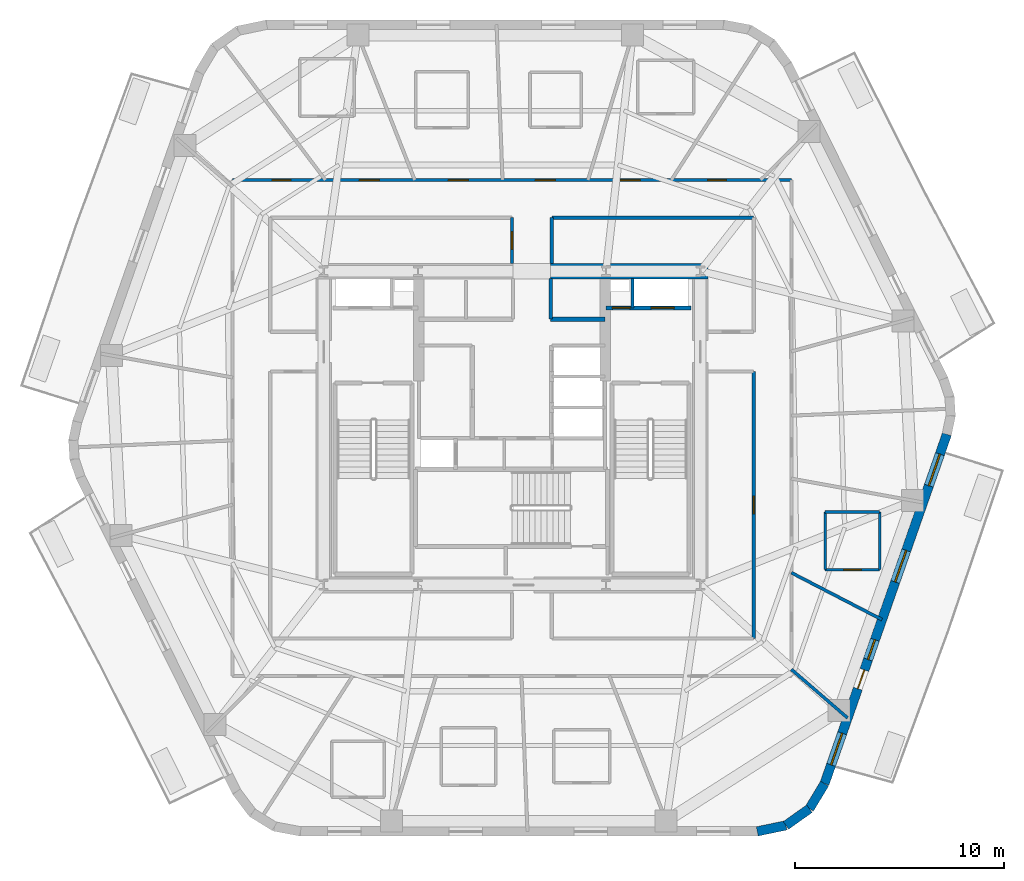
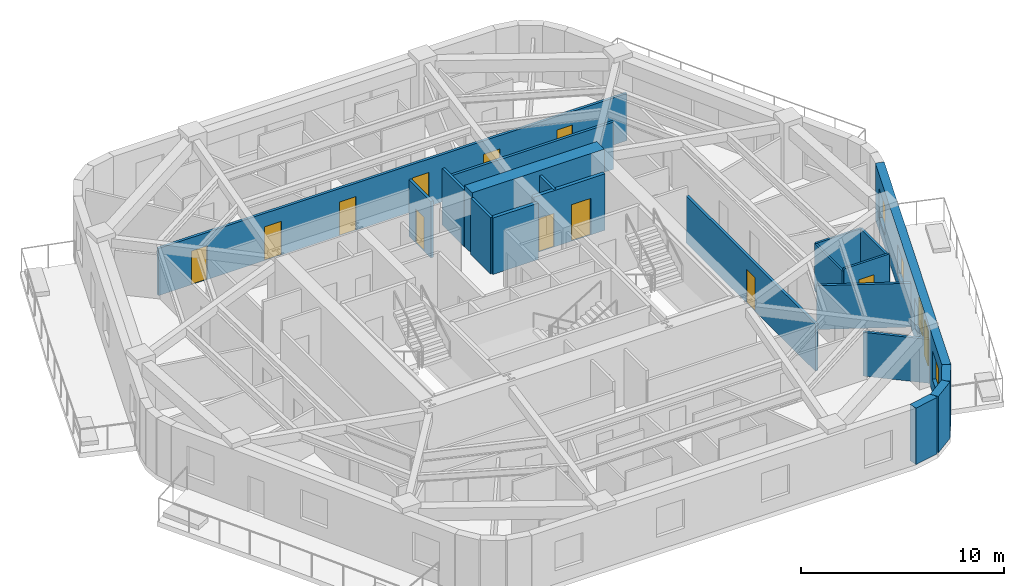
# One storey, part 5 of 10: 20 walls, 12 doors, 4 windows, 16 openings.
"""IFC4 building model written with IfcOpenShell, lengths in metres."""

from ifc_helpers import new_model, si_unit, direction, frame, frame_2d, origin, place, context, subcontext, project, spatial, rectangle, extrude, material, layer, layer_set, type_object, element, fill, save


model = new_model("IFC4")

# Units and contexts
model_context = context("Model", 3, precision=1e-05, world=origin(), true_north=direction((0.0, 1.0)))
body_context = subcontext(model_context, "Body", "Model", "MODEL_VIEW")
ifc_project = project(units=[si_unit("LENGTHUNIT", "METRE"), si_unit("AREAUNIT", "SQUARE_METRE"), si_unit("VOLUMEUNIT", "CUBIC_METRE"), si_unit("PLANEANGLEUNIT", "RADIAN"), si_unit("MASSUNIT", "GRAM", prefix="KILO")], contexts=[model_context])

# Site, building, storey
site_placement = place(None, origin())
site = spatial("IfcSite", under=ifc_project, at=site_placement, CompositionType="ELEMENT")
building_placement = place(site_placement, origin())
building = spatial("IfcBuilding", under=site, at=building_placement, Name="Kilnhurst Terrace Hotel", CompositionType="ELEMENT")
storey_placement = place(building_placement, frame((0.0, 0.0, 175.60009765625)))
storey = spatial("IfcBuildingStorey", under=building, at=storey_placement, Name="L43", CompositionType="ELEMENT", Elevation=175.60009765625)

# Walls
ifc_material_1 = material(Name="Precast concrete C40/50", Category="concrete")
ifc_layer_1 = layer(ifc_material_1, 0.449951171875, Name="Precast concrete C40/50")
ifc_layer_set_1 = layer_set([ifc_layer_1], Name="Precast concrete C40/50")
wall_type_1 = type_object("IfcWallType", Name="WL-BRK-450", PredefinedType="SOLIDWALL", material=ifc_layer_set_1)
wall_1_placement = place(storey_placement, frame((11.720458984375, -19.27490234375, 0.0), z_axis=(0.0, 0.0, 1.0), x_axis=(0.97893106758, 0.204191001093, 0.0)))
element("IfcWall", 1, at=wall_1_placement, inside=storey, type_object=wall_type_1, Name="L43 Rounded Corner Brick Wall C2.1", PredefinedType="SOLIDWALL", context=body_context, shape_type="SweptSolid", body=[
    extrude(rectangle(XDim=1.400146484375, YDim=0.449951171875, at=frame_2d((0.7001953125, 0.0))), origin(), (0.0, 0.0, 1.0), 3.39990234375),
])
wall_2_placement = place(storey_placement, frame((13.091064453125, -18.989013671875, 0.0), z_axis=(0.0, 0.0, 1.0), x_axis=(0.815574637848, 0.578651890258, 0.0)))
element("IfcWall", 2, at=wall_2_placement, inside=storey, type_object=wall_type_1, Name="L43 Rounded Corner Brick Wall C2.2", PredefinedType="SOLIDWALL", context=body_context, shape_type="SweptSolid", body=[
    extrude(rectangle(XDim=1.376708984375, YDim=0.449951171875, at=frame_2d((0.6884765625, 0.0))), origin(), (0.0, 0.0, 1.0), 3.39990234375),
])
wall_3_placement = place(storey_placement, frame((14.2138671875, -18.1923828125, 0.0), z_axis=(0.0, 0.0, 1.0), x_axis=(0.516340945502, 0.856383108193, 0.0)))
element("IfcWall", 3, at=wall_3_placement, inside=storey, type_object=wall_type_1, Name="L43 Rounded Corner Brick Wall C2.3", PredefinedType="SOLIDWALL", context=body_context, shape_type="SweptSolid", body=[
    extrude(rectangle(XDim=1.400146484375, YDim=0.449951171875, at=frame_2d((0.7001953125, 0.0))), origin(), (0.0, 0.0, 1.0), 3.39990234375),
])

# Wall, openings, door, windows
wall_4_placement = place(storey_placement, frame((14.936767578125, -16.993408203125, 0.0), z_axis=(0.0, 0.0, 1.0), x_axis=(0.330431575061, 0.943829949834, 0.0)))
wall_4 = element("IfcWall", 4, at=wall_4_placement, inside=storey, type_object=wall_type_1, Name="L43 Exterior Brick Facade Wall F2", PredefinedType="SOLIDWALL", context=body_context, shape_type="SweptSolid", body=[
    extrude(rectangle(XDim=17.68896484375, YDim=0.449951171875, at=frame_2d((8.844482421875, 0.0))), origin(), (0.0, 0.0, 1.0), 3.39990234375),
])
opening_1_placement = place(wall_4_placement, frame((4.806884765625, 0.0, 0.0)))
opening_1 = element("IfcOpeningElement", 5, at=opening_1_placement, cuts=wall_4, Name="Opening BD-950", PredefinedType="OPENING", context=body_context, shape_type="SweptSolid", body=[
    extrude(rectangle(XDim=0.949951171875, YDim=2.14990234375, at=frame_2d((0.47509765625, 1.074951171875))), frame((0.0, 0.23486328125, 0.0), z_axis=(0.0, -1.0, 0.0), x_axis=(1.0, 0.0, 0.0)), (0.0, 0.0, 1.0), 0.469970703125),
])
opening_2_placement = place(wall_4_placement, frame((0.949951171875, 0.0, 0.800048828125)))
opening_2 = element("IfcOpeningElement", 6, at=opening_2_placement, cuts=wall_4, Name="Opening W-05", PredefinedType="OPENING", context=body_context, shape_type="SweptSolid", body=[
    extrude(rectangle(XDim=1.60009765625, YDim=1.75, at=frame_2d((0.800048828125, 0.875))), frame((0.0, 0.23486328125, 0.0), z_axis=(0.0, -1.0, 0.0), x_axis=(1.0, 0.0, 0.0)), (0.0, 0.0, 1.0), 0.469970703125),
])
opening_3_placement = place(wall_4_placement, frame((6.285888671875, 0.0, 0.800048828125)))
opening_3 = element("IfcOpeningElement", 7, at=opening_3_placement, cuts=wall_4, Name="Opening W-08", PredefinedType="OPENING", context=body_context, shape_type="SweptSolid", body=[
    extrude(rectangle(XDim=1.0, YDim=1.64990234375, at=frame_2d((0.5, 0.824951171875))), frame((0.0, 0.23486328125, 0.0), z_axis=(0.0, -1.0, 0.0), x_axis=(1.0, 0.0, 0.0)), (0.0, 0.0, 1.0), 0.469970703125),
])
opening_4_placement = place(wall_4_placement, frame((10.2099609375, 0.0, 0.800048828125)))
opening_4 = element("IfcOpeningElement", 8, at=opening_4_placement, cuts=wall_4, Name="Opening W-05", PredefinedType="OPENING", context=body_context, shape_type="SweptSolid", body=[
    extrude(rectangle(XDim=1.60009765625, YDim=1.75, at=frame_2d((0.800048828125, 0.875))), frame((0.0, 0.23486328125, 0.0), z_axis=(0.0, -1.0, 0.0), x_axis=(1.0, 0.0, 0.0)), (0.0, 0.0, 1.0), 0.469970703125),
])
opening_5_placement = place(wall_4_placement, frame((15.083984375, 0.0, 0.800048828125)))
opening_5 = element("IfcOpeningElement", 9, at=opening_5_placement, cuts=wall_4, Name="Opening W-05", PredefinedType="OPENING", context=body_context, shape_type="SweptSolid", body=[
    extrude(rectangle(XDim=1.60009765625, YDim=1.75, at=frame_2d((0.800048828125, 0.875))), frame((0.0, 0.23486328125, 0.0), z_axis=(0.0, -1.0, 0.0), x_axis=(1.0, 0.0, 0.0)), (0.0, 0.0, 1.0), 0.469970703125),
])
ifc_material_2 = material(Name="Thermally Broken Bronze Aluminium Alloy 6063-T6 and Laminated Glass", Category="aluminium")
door_type_1 = type_object("IfcDoorType", Name="DR-EXT-BAL-950", OperationType="NOTDEFINED", PredefinedType="DOOR", material=ifc_material_2)
door_1_placement = place(opening_1_placement, origin())
door_1 = element("IfcDoor", 10, at=door_1_placement, inside=storey, type_object=door_type_1, Name="L43 Planted Balcony Door BAL-L1A", OperationType="SINGLE_SWING_RIGHT", OverallHeight=2.14990234375, OverallWidth=0.949951171875, PredefinedType="DOOR", context=body_context, shape_type="SweptSolid", body=[
    extrude(rectangle(XDim=0.949951171875, YDim=2.14990234375, at=frame_2d((0.47509765625, 1.074951171875))), frame((0.0, 0.02490234375, 0.0), z_axis=(0.0, -1.0, 0.0), x_axis=(1.0, 0.0, 0.0)), (0.0, 0.0, 1.0), 0.050048828125),
])
fill(opening_1, door_1)
ifc_material_3 = material(Name="Thermally Broken Bronze Aluminium Alloy 6063-T6 and Low-E Glass", Category="aluminium")
window_type_1 = type_object("IfcWindowType", Name="WIN-1000X1650", PartitioningType="SINGLE_PANEL", PredefinedType="WINDOW", material=ifc_material_3)
window_1_placement = place(opening_3_placement, origin())
window_1 = element("IfcWindow", 11, at=window_1_placement, inside=storey, type_object=window_type_1, Name="L43 Deep-Set Masonry Window F2.2", OverallHeight=1.64990234375, OverallWidth=1.0, PartitioningType="SINGLE_PANEL", PredefinedType="WINDOW", context=body_context, shape_type="SweptSolid", body=[
    extrude(rectangle(XDim=1.0, YDim=1.64990234375, at=frame_2d((0.5, 0.824951171875))), frame((0.0, 0.030029296875, 0.0), z_axis=(0.0, -1.0, 0.0), x_axis=(1.0, 0.0, 0.0)), (0.0, 0.0, 1.0), 0.06005859375),
])
fill(opening_3, window_1)
window_type_2 = type_object("IfcWindowType", Name="WIN-1600X1750", PartitioningType="SINGLE_PANEL", PredefinedType="WINDOW", material=ifc_material_3)
window_2_placement = place(opening_2_placement, origin())
window_2 = element("IfcWindow", 12, at=window_2_placement, inside=storey, type_object=window_type_2, Name="L43 Deep-Set Masonry Window F2.1", OverallHeight=1.75, OverallWidth=1.60009765625, PartitioningType="SINGLE_PANEL", PredefinedType="WINDOW", context=body_context, shape_type="SweptSolid", body=[
    extrude(rectangle(XDim=1.60009765625, YDim=1.75, at=frame_2d((0.800048828125, 0.875))), frame((0.0, 0.030029296875, 0.0), z_axis=(0.0, -1.0, 0.0), x_axis=(1.0, 0.0, 0.0)), (0.0, 0.0, 1.0), 0.06005859375),
])
fill(opening_2, window_2)
window_3_placement = place(opening_4_placement, origin())
window_3 = element("IfcWindow", 13, at=window_3_placement, inside=storey, type_object=window_type_2, Name="L43 Deep-Set Masonry Window F2.3", OverallHeight=1.75, OverallWidth=1.60009765625, PartitioningType="SINGLE_PANEL", PredefinedType="WINDOW", context=body_context, shape_type="SweptSolid", body=[
    extrude(rectangle(XDim=1.60009765625, YDim=1.75, at=frame_2d((0.800048828125, 0.875))), frame((0.0, 0.030029296875, 0.0), z_axis=(0.0, -1.0, 0.0), x_axis=(1.0, 0.0, 0.0)), (0.0, 0.0, 1.0), 0.06005859375),
])
fill(opening_4, window_3)
window_4_placement = place(opening_5_placement, origin())
window_4 = element("IfcWindow", 14, at=window_4_placement, inside=storey, type_object=window_type_2, Name="L43 Deep-Set Masonry Window F2.4", OverallHeight=1.75, OverallWidth=1.60009765625, PartitioningType="SINGLE_PANEL", PredefinedType="WINDOW", context=body_context, shape_type="SweptSolid", body=[
    extrude(rectangle(XDim=1.60009765625, YDim=1.75, at=frame_2d((0.800048828125, 0.875))), frame((0.0, 0.030029296875, 0.0), z_axis=(0.0, -1.0, 0.0), x_axis=(1.0, 0.0, 0.0)), (0.0, 0.0, 1.0), 0.06005859375),
])
fill(opening_5, window_4)

# Wall, openings, doors
ifc_material_4 = material(Name="Acoustic Double-Gypsum Corridor Partition Assembly")
ifc_layer_2 = layer(ifc_material_4, 0.14990234375, Name="Acoustic Double-Gypsum Corridor Partition Assembly")
ifc_layer_set_2 = layer_set([ifc_layer_2], Name="Acoustic Double-Gypsum Corridor Partition Assembly")
wall_type_2 = type_object("IfcWallType", Name="WL-COR-150", PredefinedType="PARTITIONING", material=ifc_layer_set_2)
wall_5_placement = place(storey_placement, frame((-13.35009765625, 11.85009765625, 0.0), z_axis=(0.0, 0.0, 1.0), x_axis=(1.0, 0.0, 0.0)))
wall_5 = element("IfcWall", 15, at=wall_5_placement, inside=storey, type_object=wall_type_2, Name="L43 Interior Wall WL-L43-COR-03", PredefinedType="PARTITIONING", context=body_context, shape_type="SweptSolid", body=[
    extrude(rectangle(XDim=26.7001953125, YDim=0.14990234375, at=frame_2d((13.35009765625, 0.0))), origin(), (0.0, 0.0, 1.0), 2.83984375),
])
opening_6_placement = place(wall_5_placement, frame((22.699951171875, 0.0, 0.0)))
opening_6 = element("IfcOpeningElement", 16, at=opening_6_placement, cuts=wall_5, Name="Opening D-60C", PredefinedType="OPENING", context=body_context, shape_type="SweptSolid", body=[
    extrude(rectangle(XDim=0.89990234375, YDim=2.030029296875, at=frame_2d((0.449951171875, 1.01513671875))), frame((0.0, 0.0849609375, 0.0), z_axis=(0.0, -1.0, 0.0), x_axis=(1.0, 0.0, 0.0)), (0.0, 0.0, 1.0), 0.169921875),
])
opening_7_placement = place(wall_5_placement, frame((18.52294921875, 0.0, 0.0)))
opening_7 = element("IfcOpeningElement", 17, at=opening_7_placement, cuts=wall_5, Name="Opening D-60B", PredefinedType="OPENING", context=body_context, shape_type="SweptSolid", body=[
    extrude(rectangle(XDim=0.949951171875, YDim=2.030029296875, at=frame_2d((0.47509765625, 1.01513671875))), frame((0.0, 0.0849609375, 0.0), z_axis=(0.0, -1.0, 0.0), x_axis=(1.0, 0.0, 0.0)), (0.0, 0.0, 1.0), 0.169921875),
])
opening_8_placement = place(wall_5_placement, frame((14.468994140625, 0.0, 0.0)))
opening_8 = element("IfcOpeningElement", 18, at=opening_8_placement, cuts=wall_5, Name="Opening D-60B", PredefinedType="OPENING", context=body_context, shape_type="SweptSolid", body=[
    extrude(rectangle(XDim=0.949951171875, YDim=2.030029296875, at=frame_2d((0.47509765625, 1.01513671875))), frame((0.0, 0.0849609375, 0.0), z_axis=(0.0, -1.0, 0.0), x_axis=(1.0, 0.0, 0.0)), (0.0, 0.0, 1.0), 0.169921875),
])
opening_9_placement = place(wall_5_placement, frame((10.31396484375, 0.0, 0.0)))
opening_9 = element("IfcOpeningElement", 19, at=opening_9_placement, cuts=wall_5, Name="Opening D-60B", PredefinedType="OPENING", context=body_context, shape_type="SweptSolid", body=[
    extrude(rectangle(XDim=0.949951171875, YDim=2.030029296875, at=frame_2d((0.47509765625, 1.01513671875))), frame((0.0, 0.0849609375, 0.0), z_axis=(0.0, -1.0, 0.0), x_axis=(1.0, 0.0, 0.0)), (0.0, 0.0, 1.0), 0.169921875),
])
opening_10_placement = place(wall_5_placement, frame((6.06103515625, 0.0, 0.0)))
opening_10 = element("IfcOpeningElement", 20, at=opening_10_placement, cuts=wall_5, Name="Opening D-60B", PredefinedType="OPENING", context=body_context, shape_type="SweptSolid", body=[
    extrude(rectangle(XDim=0.949951171875, YDim=2.030029296875, at=frame_2d((0.47509765625, 1.01513671875))), frame((0.0, 0.0849609375, 0.0), z_axis=(0.0, -1.0, 0.0), x_axis=(1.0, 0.0, 0.0)), (0.0, 0.0, 1.0), 0.169921875),
])
opening_11_placement = place(wall_5_placement, frame((1.885986328125, 0.0, 0.0)))
opening_11 = element("IfcOpeningElement", 21, at=opening_11_placement, cuts=wall_5, Name="Opening D-60C", PredefinedType="OPENING", context=body_context, shape_type="SweptSolid", body=[
    extrude(rectangle(XDim=0.89990234375, YDim=2.030029296875, at=frame_2d((0.449951171875, 1.01513671875))), frame((0.0, 0.0849609375, 0.0), z_axis=(0.0, -1.0, 0.0), x_axis=(1.0, 0.0, 0.0)), (0.0, 0.0, 1.0), 0.169921875),
])
ifc_material_5 = material(Name="Painted Solid-Core Service Fire Door")
door_type_2 = type_object("IfcDoorType", Name="DR-FD60-900", OperationType="NOTDEFINED", PredefinedType="DOOR", material=ifc_material_5)
door_2_placement = place(opening_6_placement, origin())
door_2 = element("IfcDoor", 22, at=door_2_placement, inside=storey, type_object=door_type_2, Name="L43 Botanical Reading Lounge Door 3", OperationType="SINGLE_SWING_LEFT", OverallHeight=2.030029296875, OverallWidth=0.89990234375, PredefinedType="DOOR", context=body_context, shape_type="SweptSolid", body=[
    extrude(rectangle(XDim=0.89990234375, YDim=2.030029296875, at=frame_2d((0.449951171875, 1.01513671875))), frame((0.0, 0.02490234375, 0.0), z_axis=(0.0, -1.0, 0.0), x_axis=(1.0, 0.0, 0.0)), (0.0, 0.0, 1.0), 0.050048828125),
])
fill(opening_6, door_2)
door_3_placement = place(opening_11_placement, origin())
door_3 = element("IfcDoor", 23, at=door_3_placement, inside=storey, type_object=door_type_2, Name="L43 Private Meeting Salon Door 8", OperationType="SINGLE_SWING_RIGHT", OverallHeight=2.030029296875, OverallWidth=0.89990234375, PredefinedType="DOOR", context=body_context, shape_type="SweptSolid", body=[
    extrude(rectangle(XDim=0.89990234375, YDim=2.030029296875, at=frame_2d((0.449951171875, 1.01513671875))), frame((0.0, 0.02490234375, 0.0), z_axis=(0.0, -1.0, 0.0), x_axis=(1.0, 0.0, 0.0)), (0.0, 0.0, 1.0), 0.050048828125),
])
fill(opening_11, door_3)
ifc_material_6 = material(Name="Acoustic Walnut Veneer Solid-Core Fire Door")
door_type_3 = type_object("IfcDoorType", Name="DR-FD60-950", OperationType="NOTDEFINED", PredefinedType="DOOR", material=ifc_material_6)
door_4_placement = place(opening_7_placement, origin())
door_4 = element("IfcDoor", 24, at=door_4_placement, inside=storey, type_object=door_type_3, Name="L43 Guest Room Entry Door 4", OperationType="SINGLE_SWING_RIGHT", OverallHeight=2.030029296875, OverallWidth=0.949951171875, PredefinedType="DOOR", context=body_context, shape_type="SweptSolid", body=[
    extrude(rectangle(XDim=0.949951171875, YDim=2.030029296875, at=frame_2d((0.47509765625, 1.01513671875))), frame((0.0, 0.02490234375, 0.0), z_axis=(0.0, -1.0, 0.0), x_axis=(1.0, 0.0, 0.0)), (0.0, 0.0, 1.0), 0.050048828125),
])
fill(opening_7, door_4)
door_5_placement = place(opening_8_placement, origin())
door_5 = element("IfcDoor", 25, at=door_5_placement, inside=storey, type_object=door_type_3, Name="L43 Guest Room Entry Door 5", OperationType="SINGLE_SWING_LEFT", OverallHeight=2.030029296875, OverallWidth=0.949951171875, PredefinedType="DOOR", context=body_context, shape_type="SweptSolid", body=[
    extrude(rectangle(XDim=0.949951171875, YDim=2.030029296875, at=frame_2d((0.47509765625, 1.01513671875))), frame((0.0, 0.02490234375, 0.0), z_axis=(0.0, -1.0, 0.0), x_axis=(1.0, 0.0, 0.0)), (0.0, 0.0, 1.0), 0.050048828125),
])
fill(opening_8, door_5)
door_6_placement = place(opening_9_placement, origin())
door_6 = element("IfcDoor", 26, at=door_6_placement, inside=storey, type_object=door_type_3, Name="L43 Guest Room Entry Door 6", OperationType="SINGLE_SWING_RIGHT", OverallHeight=2.030029296875, OverallWidth=0.949951171875, PredefinedType="DOOR", context=body_context, shape_type="SweptSolid", body=[
    extrude(rectangle(XDim=0.949951171875, YDim=2.030029296875, at=frame_2d((0.47509765625, 1.01513671875))), frame((0.0, 0.02490234375, 0.0), z_axis=(0.0, -1.0, 0.0), x_axis=(1.0, 0.0, 0.0)), (0.0, 0.0, 1.0), 0.050048828125),
])
fill(opening_9, door_6)
door_7_placement = place(opening_10_placement, origin())
door_7 = element("IfcDoor", 27, at=door_7_placement, inside=storey, type_object=door_type_3, Name="L43 Guest Room Entry Door 7", OperationType="SINGLE_SWING_LEFT", OverallHeight=2.030029296875, OverallWidth=0.949951171875, PredefinedType="DOOR", context=body_context, shape_type="SweptSolid", body=[
    extrude(rectangle(XDim=0.949951171875, YDim=2.030029296875, at=frame_2d((0.47509765625, 1.01513671875))), frame((0.0, 0.02490234375, 0.0), z_axis=(0.0, -1.0, 0.0), x_axis=(1.0, 0.0, 0.0)), (0.0, 0.0, 1.0), 0.050048828125),
])
fill(opening_10, door_7)

# Wall, opening, door
wall_6_placement = place(storey_placement, frame((11.550048828125, -10.050048828125, 0.0), z_axis=(0.0, 0.0, 1.0), x_axis=(0.0, 1.0, 0.0)))
wall_6 = element("IfcWall", 28, at=wall_6_placement, inside=storey, type_object=wall_type_2, Name="L43 Interior Wall WL-L43-COR-05", PredefinedType="PARTITIONING", context=body_context, shape_type="SweptSolid", body=[
    extrude(rectangle(XDim=12.75, YDim=0.14990234375, at=frame_2d((6.375, 0.0))), origin(), (0.0, 0.0, 1.0), 2.83984375),
])
opening_12_placement = place(wall_6_placement, frame((5.949951171875, 0.0, 0.0)))
opening_12 = element("IfcOpeningElement", 29, at=opening_12_placement, cuts=wall_6, Name="Opening D-60D", PredefinedType="OPENING", context=body_context, shape_type="SweptSolid", body=[
    extrude(rectangle(XDim=0.85009765625, YDim=2.030029296875, at=frame_2d((0.425048828125, 1.01513671875))), frame((0.0, 0.0849609375, 0.0), z_axis=(0.0, -1.0, 0.0), x_axis=(1.0, 0.0, 0.0)), (0.0, 0.0, 1.0), 0.169921875),
])
ifc_material_7 = material(Name="Painted Hollow Metal Steel ASTM A36 Riser Door", Category="steel")
door_type_4 = type_object("IfcDoorType", Name="DR-FD60-850", OperationType="NOTDEFINED", PredefinedType="DOOR", material=ifc_material_7)
door_8_placement = place(opening_12_placement, origin())
door_8 = element("IfcDoor", 30, at=door_8_placement, inside=storey, type_object=door_type_4, Name="L43 Floor Electrical Switch Room Door", OperationType="SINGLE_SWING_RIGHT", OverallHeight=2.030029296875, OverallWidth=0.85009765625, PredefinedType="DOOR", context=body_context, shape_type="SweptSolid", body=[
    extrude(rectangle(XDim=0.85009765625, YDim=2.030029296875, at=frame_2d((0.425048828125, 1.01513671875))), frame((0.0, 0.02490234375, 0.0), z_axis=(0.0, -1.0, 0.0), x_axis=(1.0, 0.0, 0.0)), (0.0, 0.0, 1.0), 0.050048828125),
])
fill(opening_12, door_8)

# Walls
wall_7_placement = place(storey_placement, frame((11.550048828125, 10.050048828125, 0.0), z_axis=(0.0, 0.0, 1.0), x_axis=(-1.0, 0.0, 0.0)))
element("IfcWall", 31, at=wall_7_placement, inside=storey, type_object=wall_type_2, Name="L43 Interior Wall WL-L43-COR-09", PredefinedType="PARTITIONING", context=body_context, shape_type="SweptSolid", body=[
    extrude(rectangle(XDim=9.650146484375, YDim=0.14990234375, at=frame_2d((4.8251953125, 0.0))), origin(), (0.0, 0.0, 1.0), 2.83984375),
])
wall_8_placement = place(storey_placement, frame((1.89990234375, 10.050048828125, 0.0), z_axis=(0.0, 0.0, 1.0), x_axis=(0.0, -1.0, 0.0)))
element("IfcWall", 32, at=wall_8_placement, inside=storey, type_object=wall_type_2, Name="L43 Interior Wall WL-L43-COR-10", PredefinedType="PARTITIONING", context=body_context, shape_type="SweptSolid", body=[
    extrude(rectangle(XDim=2.175048828125, YDim=0.14990234375, at=frame_2d((1.08740234375, 0.0))), origin(), (0.0, 0.0, 1.0), 3.39990234375),
])

# Wall, opening, door
wall_9_placement = place(storey_placement, frame((0.0, 7.875, 0.0), z_axis=(0.0, 0.0, 1.0), x_axis=(0.0, 1.0, 0.0)))
wall_9 = element("IfcWall", 33, at=wall_9_placement, inside=storey, type_object=wall_type_2, Name="L43 Interior Wall WL-L43-COR-11", PredefinedType="PARTITIONING", context=body_context, shape_type="SweptSolid", body=[
    extrude(rectangle(XDim=2.175048828125, YDim=0.14990234375, at=frame_2d((1.08740234375, 0.0))), origin(), (0.0, 0.0, 1.0), 3.39990234375),
])
opening_13_placement = place(wall_9_placement, frame((0.6630859375, 0.0, 0.0)))
opening_13 = element("IfcOpeningElement", 34, at=opening_13_placement, cuts=wall_9, Name="Opening D-60D", PredefinedType="OPENING", context=body_context, shape_type="SweptSolid", body=[
    extrude(rectangle(XDim=0.85009765625, YDim=2.030029296875, at=frame_2d((0.425048828125, 1.01513671875))), frame((0.0, 0.0849609375, 0.0), z_axis=(0.0, -1.0, 0.0), x_axis=(1.0, 0.0, 0.0)), (0.0, 0.0, 1.0), 0.169921875),
])
door_9_placement = place(opening_13_placement, origin())
door_9 = element("IfcDoor", 35, at=door_9_placement, inside=storey, type_object=door_type_4, Name="L43 Floor Valet Equipment Store Door", OperationType="SINGLE_SWING_RIGHT", OverallHeight=2.030029296875, OverallWidth=0.85009765625, PredefinedType="DOOR", context=body_context, shape_type="SweptSolid", body=[
    extrude(rectangle(XDim=0.85009765625, YDim=2.030029296875, at=frame_2d((0.425048828125, 1.01513671875))), frame((0.0, 0.02490234375, 0.0), z_axis=(0.0, -1.0, 0.0), x_axis=(1.0, 0.0, 0.0)), (0.0, 0.0, 1.0), 0.050048828125),
])
fill(opening_13, door_9)

# Walls
ifc_material_8 = material(Name="Concrete C60/75", Category="concrete")
ifc_layer_3 = layer(ifc_material_8, 0.75, Name="Concrete C60/75")
ifc_layer_set_3 = layer_set([ifc_layer_3], Name="Concrete C60/75")
wall_type_3 = type_object("IfcWallType", Name="WL-CORE-750", PredefinedType="SHEAR", material=ifc_layer_set_3)
wall_10_placement = place(storey_placement, frame((1.85009765625, 7.5, 0.0), z_axis=(0.0, 0.0, 1.0), x_axis=(1.0, 0.0, 0.0)))
element("IfcWall", 36, at=wall_10_placement, inside=storey, type_object=wall_type_3, Name="L43 Core North East Shear Wall", PredefinedType="SHEAR", context=body_context, shape_type="SweptSolid", body=[
    extrude(rectangle(XDim=7.52490234375, YDim=0.75, at=frame_2d((3.762451171875, 0.0))), origin(), (0.0, 0.0, 1.0), 3.699951171875),
])
ifc_material_9 = material(Name="STC-58 Acoustic Twin-Frame Guestroom Demising Partition")
ifc_layer_4 = layer(ifc_material_9, 0.14990234375, Name="STC-58 Acoustic Twin-Frame Guestroom Demising Partition")
ifc_layer_set_4 = layer_set([ifc_layer_4], Name="STC-58 Acoustic Twin-Frame Guestroom Demising Partition")
wall_type_4 = type_object("IfcWallType", Name="WL-DEM-150", PredefinedType="PARTITIONING", material=ifc_layer_set_4)
wall_11_placement = place(storey_placement, frame((13.35009765625, -11.53271484375, 0.0), z_axis=(0.0, 0.0, 1.0), x_axis=(0.756711647314, -0.65374879183, 0.0)))
element("IfcWall", 37, at=wall_11_placement, inside=storey, type_object=wall_type_4, Name="L43 Interior Wall WL-L43-DEM-COL11-18-1", PredefinedType="PARTITIONING", context=body_context, shape_type="SweptSolid", body=[
    extrude(rectangle(XDim=3.549560546875, YDim=0.14990234375, at=frame_2d((1.77490234375, 0.0))), origin(), (0.0, 0.0, 1.0), 2.639892578125),
])
wall_12_placement = place(storey_placement, frame((13.35009765625, -6.9130859375, 0.0), z_axis=(0.0, 0.0, 1.0), x_axis=(0.887989298603, -0.459864116415, 0.0)))
element("IfcWall", 38, at=wall_12_placement, inside=storey, type_object=wall_type_4, Name="L43 Interior Wall WL-L43-DEM-MID11-19-1", PredefinedType="PARTITIONING", context=body_context, shape_type="SweptSolid", body=[
    extrude(rectangle(XDim=4.876708984375, YDim=0.14990234375, at=frame_2d((2.4384765625, 0.0))), origin(), (0.0, 0.0, 1.0), 2.639892578125),
])

# Wall, opening, door
ifc_material_10 = material(Name="120 mm Moisture-Resistant Tile-Backed Bathroom Partition")
ifc_layer_5 = layer(ifc_material_10, 0.1201171875, Name="120 mm Moisture-Resistant Tile-Backed Bathroom Partition")
ifc_layer_set_5 = layer_set([ifc_layer_5], Name="120 mm Moisture-Resistant Tile-Backed Bathroom Partition")
wall_type_5 = type_object("IfcWallType", Name="WL-PART-120", PredefinedType="PARTITIONING", material=ifc_layer_set_5)
wall_13_placement = place(storey_placement, frame((14.968994140625, -6.761962890625, 0.0), z_axis=(0.0, 0.0, 1.0), x_axis=(1.0, 0.0, 0.0)))
wall_13 = element("IfcWall", 39, at=wall_13_placement, inside=storey, type_object=wall_type_5, Name="L43 Interior Wall WL-L43-BTH-19-1", PredefinedType="PARTITIONING", context=body_context, shape_type="SweptSolid", body=[
    extrude(rectangle(XDim=2.60009765625, YDim=0.1201171875, at=frame_2d((1.300048828125, 0.0))), origin(), (0.0, 0.0, 1.0), 2.972412109375),
])
opening_14_placement = place(wall_13_placement, frame((0.875, 0.0, 0.0)))
opening_14 = element("IfcOpeningElement", 40, at=opening_14_placement, cuts=wall_13, Name="Opening D-08A", PredefinedType="OPENING", context=body_context, shape_type="SweptSolid", body=[
    extrude(rectangle(XDim=0.85009765625, YDim=2.030029296875, at=frame_2d((0.425048828125, 1.01513671875))), frame((0.0, 0.070068359375, 0.0), z_axis=(0.0, -1.0, 0.0), x_axis=(1.0, 0.0, 0.0)), (0.0, 0.0, 1.0), 0.14013671875),
])
ifc_material_11 = material(Name="Moisture-Resistant Lacquered En-suite Bathroom Door")
door_type_5 = type_object("IfcDoorType", Name="DR-INT-850", OperationType="NOTDEFINED", PredefinedType="DOOR", material=ifc_material_11)
door_10_placement = place(opening_14_placement, origin())
door_10 = element("IfcDoor", 41, at=door_10_placement, inside=storey, type_object=door_type_5, Name="L43 En-suite Bathroom Door 19", OperationType="SINGLE_SWING_RIGHT", OverallHeight=2.030029296875, OverallWidth=0.85009765625, PredefinedType="DOOR", context=body_context, shape_type="SweptSolid", body=[
    extrude(rectangle(XDim=0.85009765625, YDim=2.030029296875, at=frame_2d((0.425048828125, 1.01513671875))), frame((0.0, 0.02490234375, 0.0), z_axis=(0.0, -1.0, 0.0), x_axis=(1.0, 0.0, 0.0)), (0.0, 0.0, 1.0), 0.050048828125),
])
fill(opening_14, door_10)

# Walls
wall_14_placement = place(storey_placement, frame((17.569091796875, -6.761962890625, 0.0), z_axis=(0.0, 0.0, 1.0), x_axis=(0.0, 1.0, 0.0)))
element("IfcWall", 42, at=wall_14_placement, inside=storey, type_object=wall_type_5, Name="L43 Interior Wall WL-L43-BTH-19-2", PredefinedType="PARTITIONING", context=body_context, shape_type="SweptSolid", body=[
    extrude(rectangle(XDim=2.75, YDim=0.1201171875, at=frame_2d((1.375, 0.0))), origin(), (0.0, 0.0, 1.0), 2.83984375),
])
wall_15_placement = place(storey_placement, frame((17.569091796875, -4.011962890625, 0.0), z_axis=(0.0, 0.0, 1.0), x_axis=(-1.0, 0.0, 0.0)))
element("IfcWall", 43, at=wall_15_placement, inside=storey, type_object=wall_type_5, Name="L43 Interior Wall WL-L43-BTH-19-3", PredefinedType="PARTITIONING", context=body_context, shape_type="SweptSolid", body=[
    extrude(rectangle(XDim=2.60009765625, YDim=0.1201171875, at=frame_2d((1.300048828125, 0.0))), origin(), (0.0, 0.0, 1.0), 2.83984375),
])
wall_16_placement = place(storey_placement, frame((14.968994140625, -4.011962890625, 0.0), z_axis=(0.0, 0.0, 1.0), x_axis=(0.0, -1.0, 0.0)))
element("IfcWall", 44, at=wall_16_placement, inside=storey, type_object=wall_type_5, Name="L43 Interior Wall WL-L43-BTH-19-4", PredefinedType="PARTITIONING", context=body_context, shape_type="SweptSolid", body=[
    extrude(rectangle(XDim=2.75, YDim=0.1201171875, at=frame_2d((1.375, 0.0))), origin(), (0.0, 0.0, 1.0), 2.83984375),
])
ifc_material_12 = material(Name="Fire-Rated Gypsum Shaftliner Assembly")
ifc_layer_6 = layer(ifc_material_12, 0.14990234375, Name="Fire-Rated Gypsum Shaftliner Assembly")
ifc_layer_set_6 = layer_set([ifc_layer_6], Name="Fire-Rated Gypsum Shaftliner Assembly")
wall_type_6 = type_object("IfcWallType", Name="WL-SHAFT-150", PredefinedType="PARTITIONING", material=ifc_layer_set_6)
wall_17_placement = place(storey_placement, frame((5.75, 5.739990234375, 0.0), z_axis=(0.0, 0.0, 1.0), x_axis=(0.0, 1.0, 0.0)))
element("IfcWall", 45, at=wall_17_placement, inside=storey, type_object=wall_type_6, Name="L43 Interior Wall WL-L43-RIS2-DIV", PredefinedType="PARTITIONING", context=body_context, shape_type="SweptSolid", body=[
    extrude(rectangle(XDim=1.409912109375, YDim=0.14990234375, at=frame_2d((0.705078125, 0.0))), origin(), (0.0, 0.0, 1.0), 3.39990234375),
])
wall_18_placement = place(storey_placement, frame((1.85009765625, 5.199951171875, 0.0), z_axis=(0.0, 0.0, 1.0), x_axis=(0.0, 1.0, 0.0)))
element("IfcWall", 46, at=wall_18_placement, inside=storey, type_object=wall_type_6, Name="L43 Interior Wall WL-L43-HR-PORTAL-E", PredefinedType="PARTITIONING", context=body_context, shape_type="SweptSolid", body=[
    extrude(rectangle(XDim=1.949951171875, YDim=0.14990234375, at=frame_2d((0.97509765625, 0.0))), origin(), (0.0, 0.0, 1.0), 3.39990234375),
])

# Wall, openings, doors
ifc_material_13 = material(Name="Autoclaved Aerated Concrete C30/37 and Gypsum Shaft Assembly", Category="concrete")
ifc_layer_7 = layer(ifc_material_13, 0.199951171875, Name="Autoclaved Aerated Concrete C30/37 and Gypsum Shaft Assembly")
ifc_layer_set_7 = layer_set([ifc_layer_7], Name="Autoclaved Aerated Concrete C30/37 and Gypsum Shaft Assembly")
wall_type_7 = type_object("IfcWallType", Name="WL-SHAFT-200", PredefinedType="PARTITIONING", material=ifc_layer_set_7)
wall_19_placement = place(storey_placement, frame((4.5, 5.739990234375, 0.0), z_axis=(0.0, 0.0, 1.0), x_axis=(1.0, 0.0, 0.0)))
wall_19 = element("IfcWall", 47, at=wall_19_placement, inside=storey, type_object=wall_type_7, Name="L43 Interior Wall WL-L43-FSAE2-S", PredefinedType="PARTITIONING", context=body_context, shape_type="SweptSolid", body=[
    extrude(rectangle(XDim=4.050048828125, YDim=0.199951171875, at=frame_2d((2.02490234375, 0.0))), origin(), (0.0, 0.0, 1.0), 3.39990234375),
])
opening_15_placement = place(wall_19_placement, frame((0.300048828125, 0.0, 0.0)))
opening_15 = element("IfcOpeningElement", 48, at=opening_15_placement, cuts=wall_19, Name="Opening D-60D", PredefinedType="OPENING", context=body_context, shape_type="SweptSolid", body=[
    extrude(rectangle(XDim=0.85009765625, YDim=2.030029296875, at=frame_2d((0.425048828125, 1.01513671875))), frame((0.0, 0.10986328125, 0.0), z_axis=(0.0, -1.0, 0.0), x_axis=(1.0, 0.0, 0.0)), (0.0, 0.0, 1.0), 0.219970703125),
])
opening_16_placement = place(wall_19_placement, frame((2.14990234375, 0.0, 0.0)))
opening_16 = element("IfcOpeningElement", 49, at=opening_16_placement, cuts=wall_19, Name="Opening LD-F2", PredefinedType="OPENING", context=body_context, shape_type="SweptSolid", body=[
    extrude(rectangle(XDim=1.10009765625, YDim=2.199951171875, at=frame_2d((0.550048828125, 1.10009765625))), frame((0.0, 0.10986328125, 0.0), z_axis=(0.0, -1.0, 0.0), x_axis=(1.0, 0.0, 0.0)), (0.0, 0.0, 1.0), 0.219970703125),
])
door_11_placement = place(opening_15_placement, origin())
door_11 = element("IfcDoor", 50, at=door_11_placement, inside=storey, type_object=door_type_4, Name="L43 Telecom Riser Door", OperationType="SINGLE_SWING_RIGHT", OverallHeight=2.030029296875, OverallWidth=0.85009765625, PredefinedType="DOOR", context=body_context, shape_type="SweptSolid", body=[
    extrude(rectangle(XDim=0.85009765625, YDim=2.030029296875, at=frame_2d((0.425048828125, 1.01513671875))), frame((0.0, 0.02490234375, 0.0), z_axis=(0.0, -1.0, 0.0), x_axis=(1.0, 0.0, 0.0)), (0.0, 0.0, 1.0), 0.050048828125),
])
fill(opening_15, door_11)
ifc_material_14 = material(Name="Bronze-Anodized Stainless Steel AISI 316L Sliding Door", Category="steel")
door_type_6 = type_object("IfcDoorType", Name="DR-LIFT-1100", OperationType="NOTDEFINED", PredefinedType="DOOR", material=ifc_material_14)
door_12_placement = place(opening_16_placement, origin())
door_12 = element("IfcDoor", 51, at=door_12_placement, inside=storey, type_object=door_type_6, Name="L43 FSAE-2 Landing Door", OperationType="SLIDING_TO_RIGHT", OverallHeight=2.199951171875, OverallWidth=1.10009765625, PredefinedType="DOOR", context=body_context, shape_type="SweptSolid", body=[
    extrude(rectangle(XDim=1.10009765625, YDim=2.199951171875, at=frame_2d((0.550048828125, 1.10009765625))), frame((0.0, 0.02490234375, 0.0), z_axis=(0.0, -1.0, 0.0), x_axis=(1.0, 0.0, 0.0)), (0.0, 0.0, 1.0), 0.050048828125),
])
fill(opening_16, door_12)

# Wall
wall_20_placement = place(storey_placement, frame((1.85009765625, 5.199951171875, 0.0), z_axis=(0.0, 0.0, 1.0), x_axis=(1.0, 0.0, 0.0)))
element("IfcWall", 52, at=wall_20_placement, inside=storey, type_object=wall_type_7, Name="L43 Interior Wall WL-L43-HR-SE", PredefinedType="PARTITIONING", context=body_context, shape_type="SweptSolid", body=[
    extrude(rectangle(XDim=2.599853515625, YDim=0.199951171875, at=frame_2d((1.2998046875, 0.0))), origin(), (0.0, 0.0, 1.0), 3.39990234375),
])

save(model, "model.ifc")
